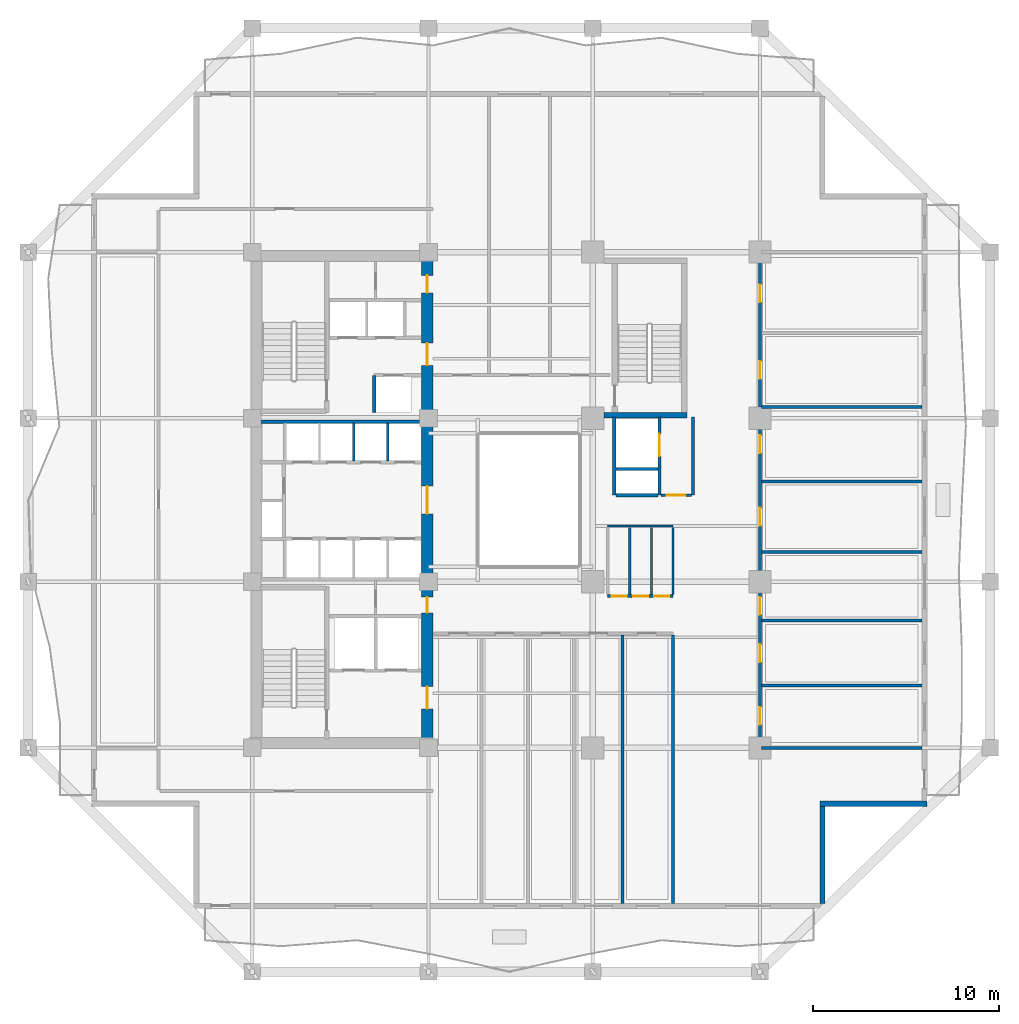
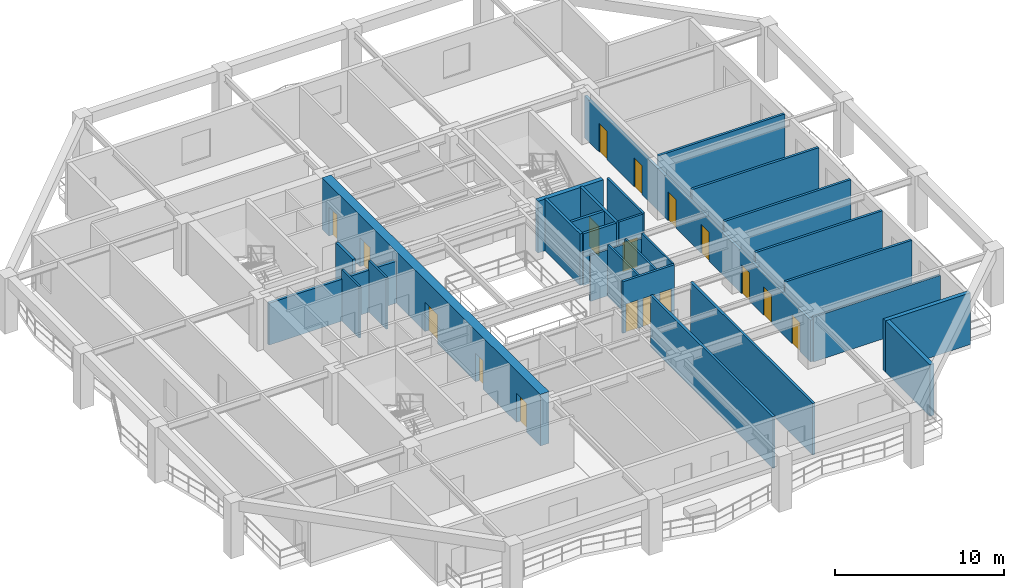
# One storey, part 4 of 13: 28 walls, 17 doors, 17 openings.
"""IFC4 building model written with IfcOpenShell, lengths in metres."""

from ifc_helpers import new_model, si_unit, direction, frame, frame_2d, origin, place, context, subcontext, project, spatial, rectangle, extrude, material, layer, layer_set, type_object, element, fill, save


model = new_model("IFC4")

# Units and contexts
model_context = context("Model", 3, precision=1e-05, world=origin(), true_north=direction((0.0, 1.0)))
body_context = subcontext(model_context, "Body", "Model", "MODEL_VIEW")
ifc_project = project(units=[si_unit("LENGTHUNIT", "METRE"), si_unit("AREAUNIT", "SQUARE_METRE"), si_unit("VOLUMEUNIT", "CUBIC_METRE"), si_unit("PLANEANGLEUNIT", "RADIAN"), si_unit("MASSUNIT", "GRAM", prefix="KILO")], contexts=[model_context])

# Site, building, storey
site_placement = place(None, origin())
site = spatial("IfcSite", under=ifc_project, at=site_placement, CompositionType="ELEMENT")
building_placement = place(site_placement, origin())
building = spatial("IfcBuilding", under=site, at=building_placement, Name="Kundavana Baori Tower", CompositionType="ELEMENT")
storey_placement = place(building_placement, frame((0.0, 0.0, 70.0)))
storey = spatial("IfcBuildingStorey", under=building, at=storey_placement, Name="L16", CompositionType="ELEMENT", Elevation=70.0)

# Wall, openings, doors
ifc_material_1 = material(Name="Concrete C60/75", Category="concrete")
ifc_layer_1 = layer(ifc_material_1, 0.60009765625, Name="WL-CORE-600")
ifc_layer_set_1 = layer_set([ifc_layer_1], Name="Concrete C60/75")
wall_type_1 = type_object("IfcWallType", Name="WL-CORE-600", PredefinedType="SHEAR", material=ifc_layer_set_1)
wall_1_placement = place(storey_placement, frame((24.8798828125, 15.739990234375, 0.0), z_axis=(0.0, 0.0, 1.0), x_axis=(0.0, 1.0, 0.0)))
wall_1 = element("IfcWall", 1, at=wall_1_placement, inside=storey, type_object=wall_type_1, Name="L16 Offset Core East Shear Wall", PredefinedType="SHEAR", context=body_context, shape_type="SweptSolid", body=[
    extrude(rectangle(XDim=25.760009765625, YDim=0.60009765625, at=frame_2d((12.8798828125, 0.0))), origin(), (0.0, 0.0, 1.0), 3.719970703125),
])
opening_1_placement = place(wall_1_placement, frame((1.610107421875, 0.0, 0.0)))
opening_1 = element("IfcOpeningElement", 2, at=opening_1_placement, cuts=wall_1, Name="Opening FD-120", PredefinedType="OPENING", context=body_context, shape_type="SweptSolid", body=[
    extrude(rectangle(XDim=1.199951171875, YDim=2.10009765625, at=frame_2d((0.60009765625, 1.050048828125))), frame((0.0, 0.31005859375, 0.0), z_axis=(0.0, -1.0, 0.0), x_axis=(1.0, 0.0, 0.0)), (0.0, 0.0, 1.0), 0.6201171875),
])
opening_2_placement = place(wall_1_placement, frame((6.780029296875, 0.0, 0.0)))
opening_2 = element("IfcOpeningElement", 3, at=opening_2_placement, cuts=wall_1, Name="Opening FD-085", PredefinedType="OPENING", context=body_context, shape_type="SweptSolid", body=[
    extrude(rectangle(XDim=0.85009765625, YDim=2.06005859375, at=frame_2d((0.425048828125, 1.030029296875))), frame((0.0, 0.31005859375, 0.0), z_axis=(0.0, -1.0, 0.0), x_axis=(1.0, 0.0, 0.0)), (0.0, 0.0, 1.0), 0.6201171875),
])
opening_3_placement = place(wall_1_placement, frame((12.110107421875, 0.0, 0.0)))
opening_3 = element("IfcOpeningElement", 4, at=opening_3_placement, cuts=wall_1, Name="Opening FD-150", PredefinedType="OPENING", context=body_context, shape_type="SweptSolid", body=[
    extrude(rectangle(XDim=1.5, YDim=2.1201171875, at=frame_2d((0.75, 1.06005859375))), frame((0.0, 0.31005859375, 0.0), z_axis=(0.0, -1.0, 0.0), x_axis=(1.0, 0.0, 0.0)), (0.0, 0.0, 1.0), 0.6201171875),
])
opening_4_placement = place(wall_1_placement, frame((20.110107421875, 0.0, 0.0)))
opening_4 = element("IfcOpeningElement", 5, at=opening_4_placement, cuts=wall_1, Name="Opening FD-122", PredefinedType="OPENING", context=body_context, shape_type="SweptSolid", body=[
    extrude(rectangle(XDim=1.199951171875, YDim=2.1201171875, at=frame_2d((0.60009765625, 1.06005859375))), frame((0.0, 0.31005859375, 0.0), z_axis=(0.0, -1.0, 0.0), x_axis=(1.0, 0.0, 0.0)), (0.0, 0.0, 1.0), 0.6201171875),
])
opening_5_placement = place(wall_1_placement, frame((24.010009765625, 0.0, 0.0)))
opening_5 = element("IfcOpeningElement", 6, at=opening_5_placement, cuts=wall_1, Name="Opening FD-095", PredefinedType="OPENING", context=body_context, shape_type="SweptSolid", body=[
    extrude(rectangle(XDim=0.949951171875, YDim=2.10009765625, at=frame_2d((0.47509765625, 1.050048828125))), frame((0.0, 0.31005859375, 0.0), z_axis=(0.0, -1.0, 0.0), x_axis=(1.0, 0.0, 0.0)), (0.0, 0.0, 1.0), 0.6201171875),
])
ifc_material_2 = material(Name="Galvanised Steel Fire-Rated Door Leaf", Category="steel")
door_type_1 = type_object("IfcDoorType", Name="DR-FD120-1200", OperationType="NOTDEFINED", PredefinedType="DOOR", material=ifc_material_2)
door_1_placement = place(opening_1_placement, frame((1.199951171875, 0.0, 0.0), z_axis=(0.0, 0.0, 1.0), x_axis=(-1.0, 0.0, 0.0)))
door_1 = element("IfcDoor", 7, at=door_1_placement, inside=storey, type_object=door_type_1, Name="DR-L16-FFLOB-E", OperationType="SINGLE_SWING_RIGHT", OverallHeight=2.10009765625, OverallWidth=1.199951171875, PredefinedType="DOOR", context=body_context, shape_type="SweptSolid", body=[
    extrude(rectangle(XDim=1.199951171875, YDim=2.10009765625, at=frame_2d((0.60009765625, 1.050048828125))), frame((0.0, 0.02490234375, 0.0), z_axis=(0.0, -1.0, 0.0), x_axis=(1.0, 0.0, 0.0)), (0.0, 0.0, 1.0), 0.050048828125),
])
fill(opening_1, door_1)
ifc_material_3 = material(Name="Galvanised Steel Fire-Rated Door Leaf", Category="steel")
door_type_2 = type_object("IfcDoorType", Name="DR-FD60-1200", OperationType="NOTDEFINED", PredefinedType="DOOR", material=ifc_material_3)
door_2_placement = place(opening_4_placement, frame((1.199951171875, 0.0, 0.0), z_axis=(0.0, 0.0, 1.0), x_axis=(-1.0, 0.0, 0.0)))
door_2 = element("IfcDoor", 8, at=door_2_placement, inside=storey, type_object=door_type_2, Name="DR-L16-HRLOB-E", OperationType="SINGLE_SWING_RIGHT", OverallHeight=2.1201171875, OverallWidth=1.199951171875, PredefinedType="DOOR", context=body_context, shape_type="SweptSolid", body=[
    extrude(rectangle(XDim=1.199951171875, YDim=2.1201171875, at=frame_2d((0.60009765625, 1.06005859375))), frame((0.0, 0.02490234375, 0.0), z_axis=(0.0, -1.0, 0.0), x_axis=(1.0, 0.0, 0.0)), (0.0, 0.0, 1.0), 0.050048828125),
])
fill(opening_4, door_2)
ifc_material_4 = material(Name="Galvanised Steel Fire-Rated Door Leaf", Category="steel")
door_type_3 = type_object("IfcDoorType", Name="DR-FD60-1500", OperationType="NOTDEFINED", PredefinedType="DOOR", material=ifc_material_4)
door_3_placement = place(opening_3_placement, frame((1.5, 0.0, 0.0), z_axis=(0.0, 0.0, 1.0), x_axis=(-1.0, 0.0, 0.0)))
door_3 = element("IfcDoor", 9, at=door_3_placement, inside=storey, type_object=door_type_3, Name="DR-L16-LIFTHALL-E", OperationType="SINGLE_SWING_LEFT", OverallHeight=2.1201171875, OverallWidth=1.5, PredefinedType="DOOR", context=body_context, shape_type="SweptSolid", body=[
    extrude(rectangle(XDim=1.5, YDim=2.1201171875, at=frame_2d((0.75, 1.06005859375))), frame((0.0, 0.02490234375, 0.0), z_axis=(0.0, -1.0, 0.0), x_axis=(1.0, 0.0, 0.0)), (0.0, 0.0, 1.0), 0.050048828125),
])
fill(opening_3, door_3)
ifc_material_5 = material(Name="Galvanised Steel Fire-Rated Door Leaf", Category="steel")
door_type_4 = type_object("IfcDoorType", Name="DR-FD60-850", OperationType="NOTDEFINED", PredefinedType="DOOR", material=ifc_material_5)
door_4_placement = place(opening_2_placement, frame((0.85009765625, 0.0, 0.0), z_axis=(0.0, 0.0, 1.0), x_axis=(-1.0, 0.0, 0.0)))
door_4 = element("IfcDoor", 10, at=door_4_placement, inside=storey, type_object=door_type_4, Name="DR-L16-CSMK2", OperationType="SINGLE_SWING_RIGHT", OverallHeight=2.06005859375, OverallWidth=0.85009765625, PredefinedType="DOOR", context=body_context, shape_type="SweptSolid", body=[
    extrude(rectangle(XDim=0.85009765625, YDim=2.06005859375, at=frame_2d((0.425048828125, 1.030029296875))), frame((0.0, 0.02490234375, 0.0), z_axis=(0.0, -1.0, 0.0), x_axis=(1.0, 0.0, 0.0)), (0.0, 0.0, 1.0), 0.050048828125),
])
fill(opening_2, door_4)
ifc_material_6 = material(Name="Engineered Teak Fire-Rated Timber Door Leaf", Category="wood")
door_type_5 = type_object("IfcDoorType", Name="DR-FD60-950", OperationType="NOTDEFINED", PredefinedType="DOOR", material=ifc_material_6)
door_5_placement = place(opening_5_placement, frame((0.949951171875, 0.0, 0.0), z_axis=(0.0, 0.0, 1.0), x_axis=(-1.0, 0.0, 0.0)))
door_5 = element("IfcDoor", 11, at=door_5_placement, inside=storey, type_object=door_type_5, Name="DR-L16-CSRV2", OperationType="SINGLE_SWING_RIGHT", OverallHeight=2.10009765625, OverallWidth=0.949951171875, PredefinedType="DOOR", context=body_context, shape_type="SweptSolid", body=[
    extrude(rectangle(XDim=0.949951171875, YDim=2.10009765625, at=frame_2d((0.47509765625, 1.050048828125))), frame((0.0, 0.02490234375, 0.0), z_axis=(0.0, -1.0, 0.0), x_axis=(1.0, 0.0, 0.0)), (0.0, 0.0, 1.0), 0.050048828125),
])
fill(opening_5, door_5)

# Walls
ifc_material_7 = material(Name="Red-Buff Dholpur Sandstone Cladding on Concrete C40/50", Category="masonry")
ifc_layer_2 = layer(ifc_material_7, 0.280029296875, Name="WL-EXT-SAND-280")
ifc_layer_set_2 = layer_set([ifc_layer_2], Name="Red-Buff Dholpur Sandstone Cladding on Concrete C40/50")
wall_type_2 = type_object("IfcWallType", Name="WL-EXT-SAND-280", PredefinedType="STANDARD", material=ifc_layer_set_2)
wall_2_placement = place(storey_placement, frame((46.159912109375, 6.8798828125, 0.0), z_axis=(0.0, 0.0, 1.0), x_axis=(0.0, 1.0, 0.0)))
element("IfcWall", 12, at=wall_2_placement, inside=storey, type_object=wall_type_2, Name="L16 Exterior Insulated Facade Wall 02", PredefinedType="STANDARD", context=body_context, shape_type="SweptSolid", body=[
    extrude(rectangle(XDim=5.22021484375, YDim=0.280029296875, at=frame_2d((2.610107421875, 0.0))), origin(), (0.0, 0.0, 1.0), 3.719970703125),
])
wall_3_placement = place(storey_placement, frame((46.02001953125, 12.239990234375, 0.0), z_axis=(0.0, 0.0, 1.0), x_axis=(1.0, 0.0, 0.0)))
element("IfcWall", 13, at=wall_3_placement, inside=storey, type_object=wall_type_2, Name="L16 Exterior Insulated Facade Wall 03", PredefinedType="STANDARD", context=body_context, shape_type="SweptSolid", body=[
    extrude(rectangle(XDim=5.780029296875, YDim=0.280029296875, at=frame_2d((2.89013671875, 0.0))), origin(), (0.0, 0.0, 1.0), 3.719970703125),
])
ifc_material_8 = material(Name="Acoustic Gypsum Plasterboard on Galvanised Steel Studs", Category="steel")
ifc_layer_3 = layer(ifc_material_8, 0.1201171875, Name="WL-PART-120")
ifc_layer_set_3 = layer_set([ifc_layer_3], Name="Acoustic Gypsum Plasterboard on Galvanised Steel Studs")
wall_type_3 = type_object("IfcWallType", Name="WL-PART-120", PredefinedType="PARTITIONING", material=ifc_layer_set_3)
for number, where, z_axis, x_axis, name in (
    (14, (20.919921875, 30.699951171875, 0.0), (0.0, 0.0, 1.0), (0.0, 1.0, 0.0), "WL-L16-LPMID-D2"),
    (15, (22.760009765625, 30.699951171875, 0.0), (0.0, 0.0, 1.0), (0.0, 1.0, 0.0), "WL-L16-LPMID-D3"),
):
    element("IfcWall", number, at=place(storey_placement, frame(where, z_axis=z_axis, x_axis=x_axis)), inside=storey, type_object=wall_type_3, Name=name, PredefinedType="PARTITIONING", context=body_context, shape_type="SweptSolid", body=[
        extrude(rectangle(XDim=2.050048828125, YDim=0.1201171875, at=frame_2d((1.02490234375, 0.0))), origin(), (0.0, 0.0, 1.0), 3.719970703125),
    ])
ifc_material_9 = material(Name="Fire-Rated Gypsum Drywall on Galvanised Steel Studs", Category="steel")
ifc_layer_4 = layer(ifc_material_9, 0.14990234375, Name="WL-PART-150")
ifc_layer_set_4 = layer_set([ifc_layer_4], Name="Fire-Rated Gypsum Drywall on Galvanised Steel Studs")
wall_type_4 = type_object("IfcWallType", Name="WL-PART-150", PredefinedType="PARTITIONING", material=ifc_layer_set_4)
wall_4_placement = place(storey_placement, frame((39.199951171875, 28.860107421875, 0.0), z_axis=(0.0, 0.0, 1.0), x_axis=(0.0, 1.0, 0.0)))
element("IfcWall", 16, at=wall_4_placement, inside=storey, type_object=wall_type_4, Name="WL-L16-SVLOB-E", PredefinedType="PARTITIONING", context=body_context, shape_type="SweptSolid", body=[
    extrude(rectangle(XDim=4.219970703125, YDim=0.14990234375, at=frame_2d((2.10986328125, 0.0))), origin(), (0.0, 0.0, 1.0), 3.719970703125),
])

# Wall, opening, door
wall_5_placement = place(storey_placement, frame((37.47998046875, 28.860107421875, 0.0), z_axis=(0.0, 0.0, 1.0), x_axis=(1.0, 0.0, 0.0)))
wall_5 = element("IfcWall", 17, at=wall_5_placement, inside=storey, type_object=wall_type_4, Name="WL-L16-SVLOB-S", PredefinedType="PARTITIONING", context=body_context, shape_type="SweptSolid", body=[
    extrude(rectangle(XDim=1.64013671875, YDim=0.14990234375, at=frame_2d((0.820068359375, 0.0))), origin(), (0.0, 0.0, 1.0), 3.719970703125),
])
opening_6_placement = place(wall_5_placement, frame((0.300048828125, 0.0, 0.0)))
opening_6 = element("IfcOpeningElement", 18, at=opening_6_placement, cuts=wall_5, Name="Opening FD-100", PredefinedType="OPENING", context=body_context, shape_type="SweptSolid", body=[
    extrude(rectangle(XDim=1.0, YDim=2.10009765625, at=frame_2d((0.5, 1.050048828125))), frame((0.0, 0.0849609375, 0.0), z_axis=(0.0, -1.0, 0.0), x_axis=(1.0, 0.0, 0.0)), (0.0, 0.0, 1.0), 0.169921875),
])
ifc_material_10 = material(Name="Engineered Teak Fire-Rated Timber Door Leaf", Category="wood")
door_type_6 = type_object("IfcDoorType", Name="DR-FD60-1000", OperationType="NOTDEFINED", PredefinedType="DOOR", material=ifc_material_10)
door_6_placement = place(opening_6_placement, origin())
door_6 = element("IfcDoor", 19, at=door_6_placement, inside=storey, type_object=door_type_6, Name="DR-L16-SVLOB-OUT", OperationType="SINGLE_SWING_LEFT", OverallHeight=2.10009765625, OverallWidth=1.0, PredefinedType="DOOR", context=body_context, shape_type="SweptSolid", body=[
    extrude(rectangle(XDim=1.0, YDim=2.10009765625, at=frame_2d((0.5, 1.050048828125))), frame((0.0, 0.02490234375, 0.0), z_axis=(0.0, -1.0, 0.0), x_axis=(1.0, 0.0, 0.0)), (0.0, 0.0, 1.0), 0.050048828125),
])
fill(opening_6, door_6)

# Wall
ifc_material_11 = material(Name="Fire-Rated Gypsum Drywall on Galvanised Steel Studs", Category="steel")
ifc_layer_5 = layer(ifc_material_11, 0.1650390625, Name="WL-PART-165")
ifc_layer_set_5 = layer_set([ifc_layer_5], Name="Fire-Rated Gypsum Drywall on Galvanised Steel Studs")
wall_type_5 = type_object("IfcWallType", Name="WL-PART-165", PredefinedType="PARTITIONING", material=ifc_layer_set_5)
wall_6_placement = place(storey_placement, frame((38.1201171875, 6.8798828125, 0.0), z_axis=(0.0, 0.0, 1.0), x_axis=(0.0, 1.0, 0.0)))
element("IfcWall", 20, at=wall_6_placement, inside=storey, type_object=wall_type_5, Name="WL-L16-OFSEND", PredefinedType="PARTITIONING", context=body_context, shape_type="SweptSolid", body=[
    extrude(rectangle(XDim=14.460205078125, YDim=0.1650390625, at=frame_2d((7.22998046875, 0.0))), origin(), (0.0, 0.0, 1.0), 3.719970703125),
])

# Wall, openings, doors
wall_7_placement = place(storey_placement, frame((34.60009765625, 23.419921875, 0.0), z_axis=(0.0, 0.0, 1.0), x_axis=(1.0, 0.0, 0.0)))
wall_7 = element("IfcWall", 21, at=wall_7_placement, inside=storey, type_object=wall_type_5, Name="WL-L16-OFST", PredefinedType="PARTITIONING", context=body_context, shape_type="SweptSolid", body=[
    extrude(rectangle(XDim=3.52001953125, YDim=0.1650390625, at=frame_2d((1.760009765625, 0.0))), origin(), (0.0, 0.0, 1.0), 3.719970703125),
])
opening_7_placement = place(wall_7_placement, frame((0.219970703125, 0.0, 0.0)))
opening_7 = element("IfcOpeningElement", 22, at=opening_7_placement, cuts=wall_7, Name="Opening WD-080", PredefinedType="OPENING", context=body_context, shape_type="SweptSolid", body=[
    extrude(rectangle(XDim=0.800048828125, YDim=2.050048828125, at=frame_2d((0.39990234375, 1.02490234375))), frame((0.0, 0.092529296875, 0.0), z_axis=(0.0, -1.0, 0.0), x_axis=(1.0, 0.0, 0.0)), (0.0, 0.0, 1.0), 0.18505859375),
])
opening_8_placement = place(wall_7_placement, frame((1.3798828125, 0.0, 0.0)))
opening_8 = element("IfcOpeningElement", 23, at=opening_8_placement, cuts=wall_7, Name="Opening WD-080", PredefinedType="OPENING", context=body_context, shape_type="SweptSolid", body=[
    extrude(rectangle(XDim=0.800048828125, YDim=2.050048828125, at=frame_2d((0.39990234375, 1.02490234375))), frame((0.0, 0.092529296875, 0.0), z_axis=(0.0, -1.0, 0.0), x_axis=(1.0, 0.0, 0.0)), (0.0, 0.0, 1.0), 0.18505859375),
])
opening_9_placement = place(wall_7_placement, frame((2.52001953125, 0.0, 0.0)))
opening_9 = element("IfcOpeningElement", 24, at=opening_9_placement, cuts=wall_7, Name="Opening WD-080", PredefinedType="OPENING", context=body_context, shape_type="SweptSolid", body=[
    extrude(rectangle(XDim=0.800048828125, YDim=2.050048828125, at=frame_2d((0.39990234375, 1.02490234375))), frame((0.0, 0.092529296875, 0.0), z_axis=(0.0, -1.0, 0.0), x_axis=(1.0, 0.0, 0.0)), (0.0, 0.0, 1.0), 0.18505859375),
])
ifc_material_12 = material(Name="Engineered Teak Solid-Core Timber Veneer", Category="wood")
door_type_7 = type_object("IfcDoorType", Name="DR-WET-800", OperationType="NOTDEFINED", PredefinedType="DOOR", material=ifc_material_12)
door_7_placement = place(opening_7_placement, origin())
door_7 = element("IfcDoor", 25, at=door_7_placement, inside=storey, type_object=door_type_7, Name="DR-L16-WCM", OperationType="SINGLE_SWING_LEFT", OverallHeight=2.050048828125, OverallWidth=0.800048828125, PredefinedType="DOOR", context=body_context, shape_type="SweptSolid", body=[
    extrude(rectangle(XDim=0.800048828125, YDim=2.050048828125, at=frame_2d((0.39990234375, 1.02490234375))), frame((0.0, 0.02490234375, 0.0), z_axis=(0.0, -1.0, 0.0), x_axis=(1.0, 0.0, 0.0)), (0.0, 0.0, 1.0), 0.050048828125),
])
fill(opening_7, door_7)
door_8_placement = place(opening_8_placement, origin())
door_8 = element("IfcDoor", 26, at=door_8_placement, inside=storey, type_object=door_type_7, Name="DR-L16-WCA", OperationType="SINGLE_SWING_RIGHT", OverallHeight=2.050048828125, OverallWidth=0.800048828125, PredefinedType="DOOR", context=body_context, shape_type="SweptSolid", body=[
    extrude(rectangle(XDim=0.800048828125, YDim=2.050048828125, at=frame_2d((0.39990234375, 1.02490234375))), frame((0.0, 0.02490234375, 0.0), z_axis=(0.0, -1.0, 0.0), x_axis=(1.0, 0.0, 0.0)), (0.0, 0.0, 1.0), 0.050048828125),
])
fill(opening_8, door_8)
door_9_placement = place(opening_9_placement, origin())
door_9 = element("IfcDoor", 27, at=door_9_placement, inside=storey, type_object=door_type_7, Name="DR-L16-PNT", OperationType="SINGLE_SWING_LEFT", OverallHeight=2.050048828125, OverallWidth=0.800048828125, PredefinedType="DOOR", context=body_context, shape_type="SweptSolid", body=[
    extrude(rectangle(XDim=0.800048828125, YDim=2.050048828125, at=frame_2d((0.39990234375, 1.02490234375))), frame((0.0, 0.02490234375, 0.0), z_axis=(0.0, -1.0, 0.0), x_axis=(1.0, 0.0, 0.0)), (0.0, 0.0, 1.0), 0.050048828125),
])
fill(opening_9, door_9)

wall_8_placement = place(storey_placement, frame((42.800048828125, 15.25, 0.0), z_axis=(0.0, 0.0, 1.0), x_axis=(0.0, 1.0, 0.0)))
wall_8 = element("IfcWall", 28, at=wall_8_placement, inside=storey, type_object=wall_type_5, Name="WL-L16-OFE", PredefinedType="PARTITIONING", context=body_context, shape_type="SweptSolid", body=[
    extrude(rectangle(XDim=26.699951171875, YDim=0.1650390625, at=frame_2d((13.35009765625, 0.0))), origin(), (0.0, 0.0, 1.0), 3.02001953125),
])
opening_10_placement = place(wall_8_placement, frame((1.25, 0.0, 0.0)))
opening_10 = element("IfcOpeningElement", 29, at=opening_10_placement, cuts=wall_8, Name="Opening ID-095", PredefinedType="OPENING", context=body_context, shape_type="SweptSolid", body=[
    extrude(rectangle(XDim=0.949951171875, YDim=2.080078125, at=frame_2d((0.47509765625, 1.0400390625))), frame((0.0, 0.092529296875, 0.0), z_axis=(0.0, -1.0, 0.0), x_axis=(1.0, 0.0, 0.0)), (0.0, 0.0, 1.0), 0.18505859375),
])
opening_11_placement = place(wall_8_placement, frame((4.625, 0.0, 0.0)))
opening_11 = element("IfcOpeningElement", 30, at=opening_11_placement, cuts=wall_8, Name="Opening ID-095", PredefinedType="OPENING", context=body_context, shape_type="SweptSolid", body=[
    extrude(rectangle(XDim=0.949951171875, YDim=2.080078125, at=frame_2d((0.47509765625, 1.0400390625))), frame((0.0, 0.092529296875, 0.0), z_axis=(0.0, -1.0, 0.0), x_axis=(1.0, 0.0, 0.0)), (0.0, 0.0, 1.0), 0.18505859375),
])
opening_12_placement = place(wall_8_placement, frame((7.175048828125, 0.0, 0.0)))
opening_12 = element("IfcOpeningElement", 31, at=opening_12_placement, cuts=wall_8, Name="Opening ID-095", PredefinedType="OPENING", context=body_context, shape_type="SweptSolid", body=[
    extrude(rectangle(XDim=0.949951171875, YDim=2.080078125, at=frame_2d((0.47509765625, 1.0400390625))), frame((0.0, 0.092529296875, 0.0), z_axis=(0.0, -1.0, 0.0), x_axis=(1.0, 0.0, 0.0)), (0.0, 0.0, 1.0), 0.18505859375),
])
opening_13_placement = place(wall_8_placement, frame((11.97509765625, 0.0, 0.0)))
opening_13 = element("IfcOpeningElement", 32, at=opening_13_placement, cuts=wall_8, Name="Opening ID-095", PredefinedType="OPENING", context=body_context, shape_type="SweptSolid", body=[
    extrude(rectangle(XDim=0.949951171875, YDim=2.080078125, at=frame_2d((0.47509765625, 1.0400390625))), frame((0.0, 0.092529296875, 0.0), z_axis=(0.0, -1.0, 0.0), x_axis=(1.0, 0.0, 0.0)), (0.0, 0.0, 1.0), 0.18505859375),
])
opening_14_placement = place(wall_8_placement, frame((15.875, 0.0, 0.0)))
opening_14 = element("IfcOpeningElement", 33, at=opening_14_placement, cuts=wall_8, Name="Opening ID-095", PredefinedType="OPENING", context=body_context, shape_type="SweptSolid", body=[
    extrude(rectangle(XDim=0.949951171875, YDim=2.080078125, at=frame_2d((0.47509765625, 1.0400390625))), frame((0.0, 0.092529296875, 0.0), z_axis=(0.0, -1.0, 0.0), x_axis=(1.0, 0.0, 0.0)), (0.0, 0.0, 1.0), 0.18505859375),
])
opening_15_placement = place(wall_8_placement, frame((19.875, 0.0, 0.0)))
opening_15 = element("IfcOpeningElement", 34, at=opening_15_placement, cuts=wall_8, Name="Opening ID-095", PredefinedType="OPENING", context=body_context, shape_type="SweptSolid", body=[
    extrude(rectangle(XDim=0.949951171875, YDim=2.080078125, at=frame_2d((0.47509765625, 1.0400390625))), frame((0.0, 0.092529296875, 0.0), z_axis=(0.0, -1.0, 0.0), x_axis=(1.0, 0.0, 0.0)), (0.0, 0.0, 1.0), 0.18505859375),
])
opening_16_placement = place(wall_8_placement, frame((24.0, 0.0, 0.0)))
opening_16 = element("IfcOpeningElement", 35, at=opening_16_placement, cuts=wall_8, Name="Opening ID-095", PredefinedType="OPENING", context=body_context, shape_type="SweptSolid", body=[
    extrude(rectangle(XDim=0.949951171875, YDim=2.080078125, at=frame_2d((0.47509765625, 1.0400390625))), frame((0.0, 0.092529296875, 0.0), z_axis=(0.0, -1.0, 0.0), x_axis=(1.0, 0.0, 0.0)), (0.0, 0.0, 1.0), 0.18505859375),
])
ifc_material_13 = material(Name="Engineered Teak Solid-Core Timber Veneer", Category="wood")
door_type_8 = type_object("IfcDoorType", Name="DR-INT-950", OperationType="NOTDEFINED", PredefinedType="DOOR", material=ifc_material_13)
door_10_placement = place(opening_10_placement, origin())
door_10 = element("IfcDoor", 36, at=door_10_placement, inside=storey, type_object=door_type_8, Name="DR-L16-OFE1", OperationType="SINGLE_SWING_RIGHT", OverallHeight=2.080078125, OverallWidth=0.949951171875, PredefinedType="DOOR", context=body_context, shape_type="SweptSolid", body=[
    extrude(rectangle(XDim=0.949951171875, YDim=2.080078125, at=frame_2d((0.47509765625, 1.0400390625))), frame((0.0, 0.02490234375, 0.0), z_axis=(0.0, -1.0, 0.0), x_axis=(1.0, 0.0, 0.0)), (0.0, 0.0, 1.0), 0.050048828125),
])
fill(opening_10, door_10)
door_11_placement = place(opening_11_placement, origin())
door_11 = element("IfcDoor", 37, at=door_11_placement, inside=storey, type_object=door_type_8, Name="DR-L16-OFE2", OperationType="SINGLE_SWING_LEFT", OverallHeight=2.080078125, OverallWidth=0.949951171875, PredefinedType="DOOR", context=body_context, shape_type="SweptSolid", body=[
    extrude(rectangle(XDim=0.949951171875, YDim=2.080078125, at=frame_2d((0.47509765625, 1.0400390625))), frame((0.0, 0.02490234375, 0.0), z_axis=(0.0, -1.0, 0.0), x_axis=(1.0, 0.0, 0.0)), (0.0, 0.0, 1.0), 0.050048828125),
])
fill(opening_11, door_11)
door_12_placement = place(opening_12_placement, origin())
door_12 = element("IfcDoor", 38, at=door_12_placement, inside=storey, type_object=door_type_8, Name="DR-L16-OFE3", OperationType="SINGLE_SWING_RIGHT", OverallHeight=2.080078125, OverallWidth=0.949951171875, PredefinedType="DOOR", context=body_context, shape_type="SweptSolid", body=[
    extrude(rectangle(XDim=0.949951171875, YDim=2.080078125, at=frame_2d((0.47509765625, 1.0400390625))), frame((0.0, 0.02490234375, 0.0), z_axis=(0.0, -1.0, 0.0), x_axis=(1.0, 0.0, 0.0)), (0.0, 0.0, 1.0), 0.050048828125),
])
fill(opening_12, door_12)
door_13_placement = place(opening_13_placement, origin())
door_13 = element("IfcDoor", 39, at=door_13_placement, inside=storey, type_object=door_type_8, Name="DR-L16-OFE4", OperationType="SINGLE_SWING_LEFT", OverallHeight=2.080078125, OverallWidth=0.949951171875, PredefinedType="DOOR", context=body_context, shape_type="SweptSolid", body=[
    extrude(rectangle(XDim=0.949951171875, YDim=2.080078125, at=frame_2d((0.47509765625, 1.0400390625))), frame((0.0, 0.02490234375, 0.0), z_axis=(0.0, -1.0, 0.0), x_axis=(1.0, 0.0, 0.0)), (0.0, 0.0, 1.0), 0.050048828125),
])
fill(opening_13, door_13)
door_14_placement = place(opening_14_placement, origin())
door_14 = element("IfcDoor", 40, at=door_14_placement, inside=storey, type_object=door_type_8, Name="DR-L16-OFE5", OperationType="SINGLE_SWING_RIGHT", OverallHeight=2.080078125, OverallWidth=0.949951171875, PredefinedType="DOOR", context=body_context, shape_type="SweptSolid", body=[
    extrude(rectangle(XDim=0.949951171875, YDim=2.080078125, at=frame_2d((0.47509765625, 1.0400390625))), frame((0.0, 0.02490234375, 0.0), z_axis=(0.0, -1.0, 0.0), x_axis=(1.0, 0.0, 0.0)), (0.0, 0.0, 1.0), 0.050048828125),
])
fill(opening_14, door_14)
door_15_placement = place(opening_15_placement, origin())
door_15 = element("IfcDoor", 41, at=door_15_placement, inside=storey, type_object=door_type_8, Name="DR-L16-OFE6", OperationType="SINGLE_SWING_LEFT", OverallHeight=2.080078125, OverallWidth=0.949951171875, PredefinedType="DOOR", context=body_context, shape_type="SweptSolid", body=[
    extrude(rectangle(XDim=0.949951171875, YDim=2.080078125, at=frame_2d((0.47509765625, 1.0400390625))), frame((0.0, 0.02490234375, 0.0), z_axis=(0.0, -1.0, 0.0), x_axis=(1.0, 0.0, 0.0)), (0.0, 0.0, 1.0), 0.050048828125),
])
fill(opening_15, door_15)
door_16_placement = place(opening_16_placement, origin())
door_16 = element("IfcDoor", 42, at=door_16_placement, inside=storey, type_object=door_type_8, Name="DR-L16-OFE7", OperationType="SINGLE_SWING_RIGHT", OverallHeight=2.080078125, OverallWidth=0.949951171875, PredefinedType="DOOR", context=body_context, shape_type="SweptSolid", body=[
    extrude(rectangle(XDim=0.949951171875, YDim=2.080078125, at=frame_2d((0.47509765625, 1.0400390625))), frame((0.0, 0.02490234375, 0.0), z_axis=(0.0, -1.0, 0.0), x_axis=(1.0, 0.0, 0.0)), (0.0, 0.0, 1.0), 0.050048828125),
])
fill(opening_16, door_16)

# Walls
wall_9_placement = place(storey_placement, frame((42.8798828125, 15.25, 0.0), z_axis=(0.0, 0.0, 1.0), x_axis=(1.0, 0.0, 0.0)))
element("IfcWall", 43, at=wall_9_placement, inside=storey, type_object=wall_type_5, Name="WL-L16-OFES", PredefinedType="PARTITIONING", context=body_context, shape_type="SweptSolid", body=[
    extrude(rectangle(XDim=8.64013671875, YDim=0.1650390625, at=frame_2d((4.320068359375, 0.0))), origin(), (0.0, 0.0, 1.0), 3.219970703125),
])
wall_10_placement = place(storey_placement, frame((35.39990234375, 6.8798828125, 0.0), z_axis=(0.0, 0.0, 1.0), x_axis=(0.0, 1.0, 0.0)))
element("IfcWall", 44, at=wall_10_placement, inside=storey, type_object=wall_type_5, Name="WL-L16-SD4", PredefinedType="PARTITIONING", context=body_context, shape_type="SweptSolid", body=[
    extrude(rectangle(XDim=14.460205078125, YDim=0.1650390625, at=frame_2d((7.22998046875, 0.0))), origin(), (0.0, 0.0, 1.0), 3.719970703125),
])
for number, where, z_axis, x_axis, name in (
    (45, (42.8798828125, 18.60009765625, 0.0), (0.0, 0.0, 1.0), (1.0, 0.0, 0.0), "WL-L16-ED1"),
    (46, (42.8798828125, 22.10009765625, 0.0), (0.0, 0.0, 1.0), (1.0, 0.0, 0.0), "WL-L16-ED2"),
    (47, (42.8798828125, 25.800048828125, 0.0), (0.0, 0.0, 1.0), (1.0, 0.0, 0.0), "WL-L16-ED3"),
    (48, (42.8798828125, 29.60009765625, 0.0), (0.0, 0.0, 1.0), (1.0, 0.0, 0.0), "WL-L16-ED4"),
    (49, (42.8798828125, 33.60009765625, 0.0), (0.0, 0.0, 1.0), (1.0, 0.0, 0.0), "WL-L16-ED5"),
):
    element("IfcWall", number, at=place(storey_placement, frame(where, z_axis=z_axis, x_axis=x_axis)), inside=storey, type_object=wall_type_5, Name=name, PredefinedType="PARTITIONING", context=body_context, shape_type="SweptSolid", body=[
        extrude(rectangle(XDim=8.64013671875, YDim=0.1650390625, at=frame_2d((4.320068359375, 0.0))), origin(), (0.0, 0.0, 1.0), 3.719970703125),
    ])
ifc_material_14 = material(Name="Autoclaved Aerated Concrete Blockwork Masonry", Category="masonry")
ifc_layer_6 = layer(ifc_material_14, 0.179931640625, Name="WL-SHAFT-180")
ifc_layer_set_6 = layer_set([ifc_layer_6], Name="Autoclaved Aerated Concrete Blockwork Masonry")
wall_type_6 = type_object("IfcWallType", Name="WL-SHAFT-180", PredefinedType="SOLIDWALL", material=ifc_layer_set_6)
wall_11_placement = place(storey_placement, frame((15.89990234375, 32.820068359375, 0.0), z_axis=(0.0, 0.0, 1.0), x_axis=(1.0, 0.0, 0.0)))
element("IfcWall", 50, at=wall_11_placement, inside=storey, type_object=wall_type_6, Name="WL-L16-LPMID-N", PredefinedType="SOLIDWALL", context=body_context, shape_type="SweptSolid", body=[
    extrude(rectangle(XDim=8.68017578125, YDim=0.179931640625, at=frame_2d((4.340087890625, 0.0))), origin(), (0.0, 0.0, 1.0), 3.02001953125),
])
wall_12_placement = place(storey_placement, frame((22.02001953125, 33.300048828125, 0.0), z_axis=(0.0, 0.0, 1.0), x_axis=(0.0, 1.0, 0.0)))
element("IfcWall", 51, at=wall_12_placement, inside=storey, type_object=wall_type_6, Name="WL-L16-LP11-W", PredefinedType="SOLIDWALL", context=body_context, shape_type="SweptSolid", body=[
    extrude(rectangle(XDim=2.010009765625, YDim=0.179931640625, at=frame_2d((1.0048828125, 0.0))), origin(), (0.0, 0.0, 1.0), 3.719970703125),
])
wall_13_placement = place(storey_placement, frame((34.9599609375, 28.860107421875, 0.0), z_axis=(0.0, 0.0, 1.0), x_axis=(0.0, 1.0, 0.0)))
element("IfcWall", 52, at=wall_13_placement, inside=storey, type_object=wall_type_6, Name="WL-L16-SVL-W", PredefinedType="SOLIDWALL", context=body_context, shape_type="SweptSolid", body=[
    extrude(rectangle(XDim=4.219970703125, YDim=0.179931640625, at=frame_2d((2.10986328125, 0.0))), origin(), (0.0, 0.0, 1.0), 3.719970703125),
])

# Wall, opening, door
wall_14_placement = place(storey_placement, frame((37.389892578125, 28.860107421875, 0.0), z_axis=(0.0, 0.0, 1.0), x_axis=(0.0, 1.0, 0.0)))
wall_14 = element("IfcWall", 53, at=wall_14_placement, inside=storey, type_object=wall_type_6, Name="WL-L16-SVL-E", PredefinedType="SOLIDWALL", context=body_context, shape_type="SweptSolid", body=[
    extrude(rectangle(XDim=4.219970703125, YDim=0.179931640625, at=frame_2d((2.10986328125, 0.0))), origin(), (0.0, 0.0, 1.0), 3.719970703125),
])
opening_17_placement = place(wall_14_placement, frame((2.10009765625, 0.0, 0.0)))
opening_17 = element("IfcOpeningElement", 54, at=opening_17_placement, cuts=wall_14, Name="Opening LD-120", PredefinedType="OPENING", context=body_context, shape_type="SweptSolid", body=[
    extrude(rectangle(XDim=1.199951171875, YDim=2.1201171875, at=frame_2d((0.60009765625, 1.06005859375))), frame((0.0, 0.10009765625, 0.0), z_axis=(0.0, -1.0, 0.0), x_axis=(1.0, 0.0, 0.0)), (0.0, 0.0, 1.0), 0.199951171875),
])
ifc_material_15 = material(Name="Galvanised Steel Fire-Rated Door Leaf", Category="steel")
door_type_9 = type_object("IfcDoorType", Name="DR-SLIDE-LD1200", OperationType="NOTDEFINED", PredefinedType="DOOR", material=ifc_material_15)
door_17_placement = place(opening_17_placement, frame((1.199951171875, 0.0, 0.0), z_axis=(0.0, 0.0, 1.0), x_axis=(-1.0, 0.0, 0.0)))
door_17 = element("IfcDoor", 55, at=door_17_placement, inside=storey, type_object=door_type_9, Name="DR-L16-LD-SVL1", OperationType="DOUBLE_DOOR_SLIDING", OverallHeight=2.1201171875, OverallWidth=1.199951171875, PredefinedType="DOOR", context=body_context, shape_type="SweptSolid", body=[
    extrude(rectangle(XDim=1.199951171875, YDim=2.1201171875, at=frame_2d((0.60009765625, 1.06005859375))), frame((0.0, 0.02490234375, 0.0), z_axis=(0.0, -1.0, 0.0), x_axis=(1.0, 0.0, 0.0)), (0.0, 0.0, 1.0), 0.050048828125),
])
fill(opening_17, door_17)

# Walls
for number, where, z_axis, x_axis, name in (
    (56, (35.050048828125, 28.860107421875, 0.0), (0.0, 0.0, 1.0), (1.0, 0.0, 0.0), "WL-L16-SVL-S"),
    (57, (35.050048828125, 30.27001953125, 0.0), (0.0, 0.0, 1.0), (1.0, 0.0, 0.0), "WL-L16-SVL-M"),
):
    element("IfcWall", number, at=place(storey_placement, frame(where, z_axis=z_axis, x_axis=x_axis)), inside=storey, type_object=wall_type_6, Name=name, PredefinedType="SOLIDWALL", context=body_context, shape_type="SweptSolid", body=[
        extrude(rectangle(XDim=2.25, YDim=0.179931640625, at=frame_2d((1.125, 0.0))), origin(), (0.0, 0.0, 1.0), 3.719970703125),
    ])
ifc_material_16 = material(Name="Concrete C50/60", Category="concrete")
ifc_layer_7 = layer(ifc_material_16, 0.300048828125, Name="WL-ST3-300")
ifc_layer_set_7 = layer_set([ifc_layer_7], Name="Concrete C50/60")
wall_type_7 = type_object("IfcWallType", Name="WL-ST3-300", PredefinedType="SHEAR", material=ifc_layer_set_7)
wall_15_placement = place(storey_placement, frame((34.39990234375, 33.159912109375, 0.0), z_axis=(0.0, 0.0, 1.0), x_axis=(1.0, 0.0, 0.0)))
element("IfcWall", 58, at=wall_15_placement, inside=storey, type_object=wall_type_7, Name="L16 Stair ST3 South Shear Wall", PredefinedType="SHEAR", context=body_context, shape_type="SweptSolid", body=[
    extrude(rectangle(XDim=4.47021484375, YDim=0.300048828125, at=frame_2d((2.235107421875, 0.0))), origin(), (0.0, 0.0, 1.0), 3.719970703125),
])
ifc_material_17 = material(Name="Autoclaved Aerated Concrete Blockwork Masonry", Category="masonry")
ifc_layer_8 = layer(ifc_material_17, 0.125, Name="WL-WET-120")
ifc_layer_set_8 = layer_set([ifc_layer_8], Name="Autoclaved Aerated Concrete Blockwork Masonry")
wall_type_8 = type_object("IfcWallType", Name="WL-WET-120", PredefinedType="PLUMBINGWALL", material=ifc_layer_set_8)
wall_16_placement = place(storey_placement, frame((34.60009765625, 27.199951171875, 0.0), z_axis=(0.0, 0.0, 1.0), x_axis=(1.0, 0.0, 0.0)))
element("IfcWall", 59, at=wall_16_placement, inside=storey, type_object=wall_type_8, Name="WL-L16-WCN", PredefinedType="PLUMBINGWALL", context=body_context, shape_type="SweptSolid", body=[
    extrude(rectangle(XDim=3.52001953125, YDim=0.125, at=frame_2d((1.760009765625, 0.0))), origin(), (0.0, 0.0, 1.0), 3.320068359375),
])
for number, where, z_axis, x_axis, name in (
    (60, (38.1201171875, 23.5, 0.0), (0.0, 0.0, 1.0), (0.0, 1.0, 0.0), "WL-L16-WCE"),
    (61, (35.780029296875, 23.5, 0.0), (0.0, 0.0, 1.0), (0.0, 1.0, 0.0), "WL-L16-WCD1"),
    (62, (36.9599609375, 23.5, 0.0), (0.0, 0.0, 1.0), (0.0, 1.0, 0.0), "WL-L16-WCD2"),
):
    element("IfcWall", number, at=place(storey_placement, frame(where, z_axis=z_axis, x_axis=x_axis)), inside=storey, type_object=wall_type_8, Name=name, PredefinedType="PLUMBINGWALL", context=body_context, shape_type="SweptSolid", body=[
        extrude(rectangle(XDim=3.6201171875, YDim=0.125, at=frame_2d((1.81005859375, 0.0))), origin(), (0.0, 0.0, 1.0), 3.719970703125),
    ])

save(model, "model.ifc")
